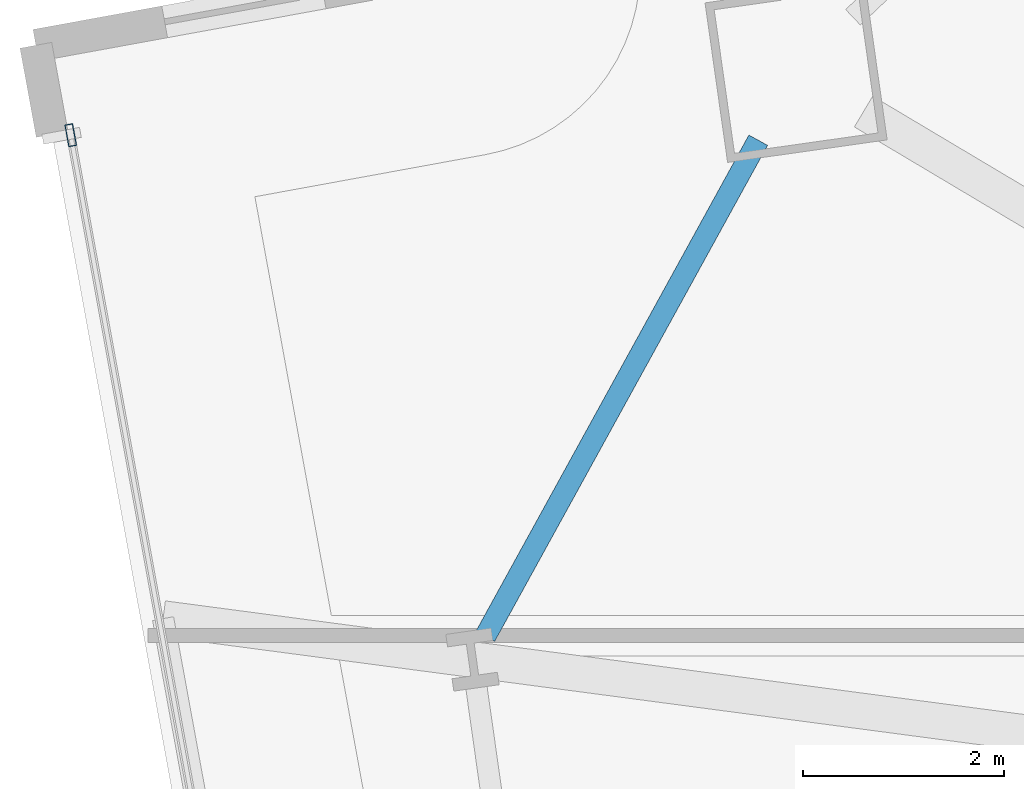
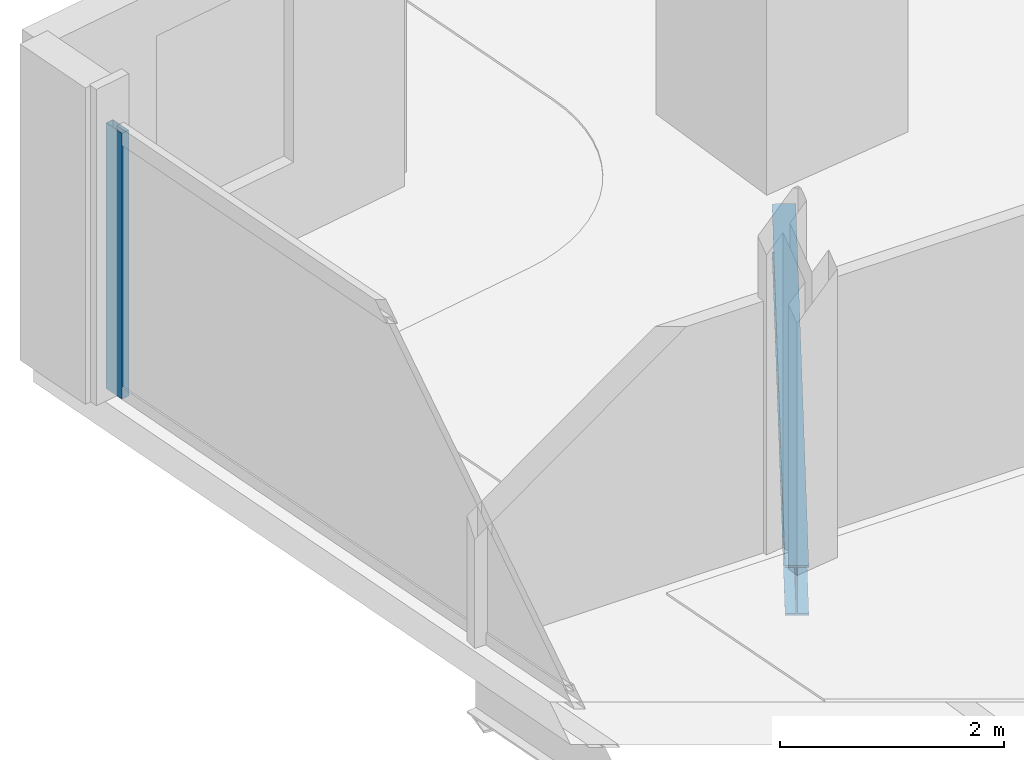
# One storey, part 16 of 34: 1 beam, 1 member, 1 element without a shape of its own.
"""IFC4 building model written with IfcOpenShell, lengths in metres."""

from ifc_helpers import new_model, si_unit, direction, frame, origin, origin_2d, place, context, subcontext, project, spatial, hollow_rectangle, i_section, extrude, material, material_profile, profile_set, type_object, element, aggregate, save


model = new_model("IFC4")

# Units and contexts
model_context = context("Model", 3, precision=1e-05, world=origin(), true_north=direction((0.0, 1.0)))
body_context = subcontext(model_context, "Body", "Model", "MODEL_VIEW")
ifc_project = project(units=[si_unit("LENGTHUNIT", "METRE"), si_unit("AREAUNIT", "SQUARE_METRE"), si_unit("VOLUMEUNIT", "CUBIC_METRE"), si_unit("PLANEANGLEUNIT", "RADIAN"), si_unit("MASSUNIT", "GRAM", prefix="KILO")], contexts=[model_context])

# Site, building, storey
site_placement = place(None, origin())
site = spatial("IfcSite", under=ifc_project, at=site_placement, CompositionType="ELEMENT")
building_placement = place(site_placement, origin())
building = spatial("IfcBuilding", under=site, at=building_placement, Name="Haldenkirk Collegiate Tower", CompositionType="ELEMENT")
storey_placement = place(building_placement, frame((0.0, 0.0, 62.699951171875)))
storey = spatial("IfcBuildingStorey", under=building, at=storey_placement, Name="L14", CompositionType="ELEMENT", Elevation=62.699951171875)

# Beam
ifc_material_1 = material(Name="Steel ASTM A992 Grade 50", Category="steel")
ifc_material_profile_1 = material_profile(ifc_material_1, i_section(OverallWidth=0.2119140625, OverallDepth=0.5439453125, WebThickness=0.01318359375, FlangeThickness=0.021240234375, at=origin_2d()), Name="W21X83")
ifc_profile_set_1 = profile_set([ifc_material_profile_1], Name="Steel ASTM A992 Grade 50")
beam_type = type_object("IfcBeamType", Name="BM-SPANDREL-W21X83", PredefinedType="SPANDREL", material=ifc_profile_set_1)
beam_placement = place(storey_placement, frame((13.10400390625, 41.37109375, -0.58203125), z_axis=(-0.482003753736, -0.876169151126, 0.0), x_axis=(0.876169151126, -0.482003753736, 0.0)))
element("IfcBeam", 1, at=beam_placement, inside=storey, type_object=beam_type, Name="L14 perimeter spandrel beam 13", PredefinedType="SPANDREL", context=body_context, shape_type="SweptSolid", body=[
    extrude(i_section(OverallWidth=0.2119140625, OverallDepth=0.5439453125, WebThickness=0.01318359375, FlangeThickness=0.021240234375, at=origin_2d()), origin(), (0.0, 0.0, 1.0), 5.622802734375),
])

# Curtain wall, member
ifc_material_2 = material(Name="Anodised architectural bronze aluminium", Category="aluminium")
curtain_wall_type = type_object("IfcCurtainWallType", Name="CW-SYS1-CONVEX-LOW", PredefinedType="USERDEFINED", material=ifc_material_2)
curtain_wall_placement = place(storey_placement, origin())
curtain_wall = element("IfcCurtainWall", 2, at=curtain_wall_placement, inside=storey, type_object=curtain_wall_type, Name="L14 Lower tower convex bronze-framed unitised curtain wall", ObjectType="UNITISED CURTAIN WALL", PredefinedType="USERDEFINED")
ifc_material_profile_2 = material_profile(ifc_material_2, hollow_rectangle(XDim=0.080078125, YDim=0.219970703125, WallThickness=0.0048828125, at=origin_2d()), Name="CW-MUL-1A")
ifc_profile_set_2 = profile_set([ifc_material_profile_2], Name="Anodised architectural bronze aluminium")
member_type = type_object("IfcMemberType", Name="CW-MUL-1A", PredefinedType="MULLION", material=ifc_profile_set_2)
member_placement = place(storey_placement, frame((6.27587890625, 41.420654296875, 0.0), z_axis=(0.0, 0.0, 1.0), x_axis=(-0.983728733251, -0.179660177491, 0.0)))
member = element("IfcMember", 3, at=member_placement, type_object=member_type, Name="CW-1A mullion 5", PredefinedType="MULLION", context=body_context, shape_type="SweptSolid", body=[
    extrude(hollow_rectangle(XDim=0.080078125, YDim=0.219970703125, WallThickness=0.0048828125, at=origin_2d()), origin(), (0.0, 0.0, 1.0), 2.89111328125),
])
aggregate(curtain_wall, [member])

save(model, "model.ifc")
